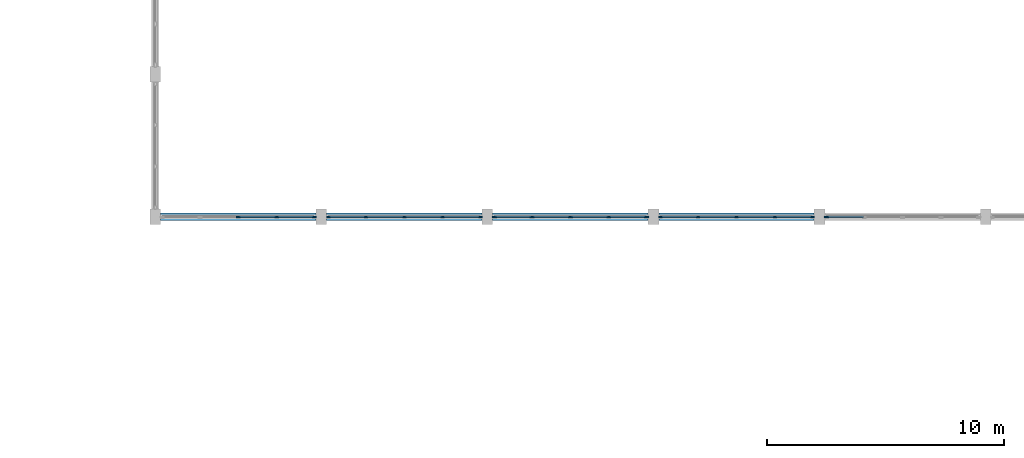
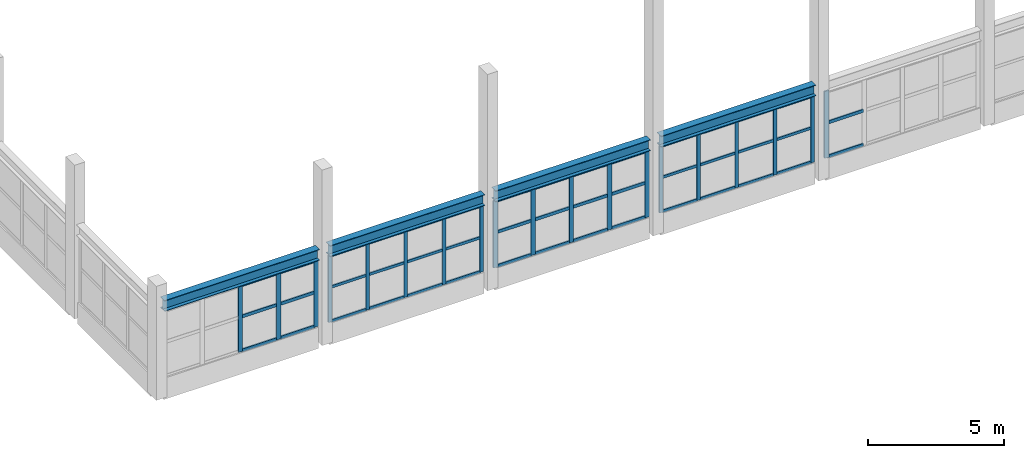
# One storey, part 28 of 89: 63 members, 4 beams, 5 elements without a shape of their own.
"""IFC4 building model written with IfcOpenShell, lengths in metres."""

from ifc_helpers import new_model, si_unit, direction, frame, origin, origin_2d, place, context, subcontext, project, spatial, rectangle, i_section, extrude, material, layer, layer_set, material_profile, profile_set, type_object, element, aggregate, save


model = new_model("IFC4")

# Units and contexts
model_context = context("Model", 3, precision=1e-05, world=origin(), true_north=direction((0.0, 1.0)))
body_context = subcontext(model_context, "Body", "Model", "MODEL_VIEW")
ifc_project = project(units=[si_unit("LENGTHUNIT", "METRE"), si_unit("AREAUNIT", "SQUARE_METRE"), si_unit("VOLUMEUNIT", "CUBIC_METRE"), si_unit("PLANEANGLEUNIT", "RADIAN"), si_unit("MASSUNIT", "GRAM", prefix="KILO")], contexts=[model_context])

# Site, building, storey
site_placement = place(None, origin())
site = spatial("IfcSite", under=ifc_project, at=site_placement, CompositionType="ELEMENT")
building_placement = place(site_placement, origin())
building = spatial("IfcBuilding", under=site, at=building_placement, Name="Tonlespit Floodbar School", CompositionType="ELEMENT")
storey_placement = place(building_placement, frame((0.0, 0.0, 4.5)))
storey = spatial("IfcBuildingStorey", under=building, at=storey_placement, Name="L01", CompositionType="ELEMENT", Elevation=4.5)

# Curtain wall, members
ifc_material_1 = material(Name="Anodised Aluminium", Category="aluminium")
ifc_layer = layer(ifc_material_1, 0.159912109375)
ifc_layer_set = layer_set([ifc_layer], Name="Anodised Aluminium")
curtain_wall_type = type_object("IfcCurtainWallType", Name="CurtainWall_6450x3000", PredefinedType="NOTDEFINED", material=ifc_layer_set)
curtain_wall_1_placement = place(storey_placement, origin())
curtain_wall_1 = element("IfcCurtainWall", 1, at=curtain_wall_1_placement, inside=storey, type_object=curtain_wall_type, Name="L01 unitised curtain wall 0314", PredefinedType="NOTDEFINED")
ifc_material_profile_1 = material_profile(ifc_material_1, rectangle(XDim=0.06494140625, YDim=0.14990234375, at=origin_2d()), Name="ALU M65x150")
ifc_profile_set_1 = profile_set([ifc_material_profile_1], Name="Anodised Aluminium")
member_type_1 = type_object("IfcMemberType", Name="CW_Mullion_65x150", PredefinedType="MULLION", material=ifc_profile_set_1)
member_1_placement = place(storey_placement, frame((154.702392578125, 20.0, 0.68994140625), z_axis=(0.0, 0.0, 1.0), x_axis=(0.0, -1.0, 0.0)))
member_1 = element("IfcMember", 2, at=member_1_placement, type_object=member_type_1, Name="CW-49 mullion 1", PredefinedType="MULLION", context=body_context, shape_type="SweptSolid", body=[
    extrude(rectangle(XDim=0.06494140625, YDim=0.14990234375, at=origin_2d()), origin(), (0.0, 0.0, 1.0), 2.989990234375),
])
member_2_placement = place(storey_placement, frame((153.117431640625, 20.0, 0.68994140625), z_axis=(0.0, 0.0, 1.0), x_axis=(0.0, -1.0, 0.0)))
member_2 = element("IfcMember", 3, at=member_2_placement, type_object=member_type_1, Name="CW-49 mullion 2", PredefinedType="MULLION", context=body_context, shape_type="SweptSolid", body=[
    extrude(rectangle(XDim=0.06494140625, YDim=0.14990234375, at=origin_2d()), origin(), (0.0, 0.0, 1.0), 2.989990234375),
])
member_3_placement = place(storey_placement, frame((151.5, 20.0, 0.68994140625), z_axis=(0.0, 0.0, 1.0), x_axis=(0.0, -1.0, 0.0)))
member_3 = element("IfcMember", 4, at=member_3_placement, type_object=member_type_1, Name="CW-49 mullion 3", PredefinedType="MULLION", context=body_context, shape_type="SweptSolid", body=[
    extrude(rectangle(XDim=0.06494140625, YDim=0.14990234375, at=origin_2d()), origin(), (0.0, 0.0, 1.0), 2.989990234375),
])
member_4_placement = place(storey_placement, frame((149.882568359375, 20.0, 0.68994140625), z_axis=(0.0, 0.0, 1.0), x_axis=(0.0, -1.0, 0.0)))
member_4 = element("IfcMember", 5, at=member_4_placement, type_object=member_type_1, Name="CW-49 mullion 4", PredefinedType="MULLION", context=body_context, shape_type="SweptSolid", body=[
    extrude(rectangle(XDim=0.06494140625, YDim=0.14990234375, at=origin_2d()), origin(), (0.0, 0.0, 1.0), 2.989990234375),
])
member_5_placement = place(storey_placement, frame((148.297607421875, 20.0, 0.68994140625), z_axis=(0.0, 0.0, 1.0), x_axis=(0.0, -1.0, 0.0)))
member_5 = element("IfcMember", 6, at=member_5_placement, type_object=member_type_1, Name="CW-49 mullion 5", PredefinedType="MULLION", context=body_context, shape_type="SweptSolid", body=[
    extrude(rectangle(XDim=0.06494140625, YDim=0.14990234375, at=origin_2d()), origin(), (0.0, 0.0, 1.0), 2.989990234375),
])

curtain_wall_2_placement = place(storey_placement, origin())
curtain_wall_2 = element("IfcCurtainWall", 7, at=curtain_wall_2_placement, inside=storey, type_object=curtain_wall_type, Name="L01 unitised curtain wall 0316", PredefinedType="NOTDEFINED")
member_6_placement = place(storey_placement, frame((140.702392578125, 20.0, 0.68994140625), z_axis=(0.0, 0.0, 1.0), x_axis=(0.0, -1.0, 0.0)))
member_6 = element("IfcMember", 8, at=member_6_placement, type_object=member_type_1, Name="CW-49 mullion 1", PredefinedType="MULLION", context=body_context, shape_type="SweptSolid", body=[
    extrude(rectangle(XDim=0.06494140625, YDim=0.14990234375, at=origin_2d()), origin(), (0.0, 0.0, 1.0), 2.989990234375),
])
member_7_placement = place(storey_placement, frame((139.117431640625, 20.0, 0.68994140625), z_axis=(0.0, 0.0, 1.0), x_axis=(0.0, -1.0, 0.0)))
member_7 = element("IfcMember", 9, at=member_7_placement, type_object=member_type_1, Name="CW-49 mullion 2", PredefinedType="MULLION", context=body_context, shape_type="SweptSolid", body=[
    extrude(rectangle(XDim=0.06494140625, YDim=0.14990234375, at=origin_2d()), origin(), (0.0, 0.0, 1.0), 2.989990234375),
])
member_8_placement = place(storey_placement, frame((137.5, 20.0, 0.68994140625), z_axis=(0.0, 0.0, 1.0), x_axis=(0.0, -1.0, 0.0)))
member_8 = element("IfcMember", 10, at=member_8_placement, type_object=member_type_1, Name="CW-49 mullion 3", PredefinedType="MULLION", context=body_context, shape_type="SweptSolid", body=[
    extrude(rectangle(XDim=0.06494140625, YDim=0.14990234375, at=origin_2d()), origin(), (0.0, 0.0, 1.0), 2.989990234375),
])
member_9_placement = place(storey_placement, frame((135.882568359375, 20.0, 0.68994140625), z_axis=(0.0, 0.0, 1.0), x_axis=(0.0, -1.0, 0.0)))
member_9 = element("IfcMember", 11, at=member_9_placement, type_object=member_type_1, Name="CW-49 mullion 4", PredefinedType="MULLION", context=body_context, shape_type="SweptSolid", body=[
    extrude(rectangle(XDim=0.06494140625, YDim=0.14990234375, at=origin_2d()), origin(), (0.0, 0.0, 1.0), 2.989990234375),
])
member_10_placement = place(storey_placement, frame((134.297607421875, 20.0, 0.68994140625), z_axis=(0.0, 0.0, 1.0), x_axis=(0.0, -1.0, 0.0)))
member_10 = element("IfcMember", 12, at=member_10_placement, type_object=member_type_1, Name="CW-49 mullion 5", PredefinedType="MULLION", context=body_context, shape_type="SweptSolid", body=[
    extrude(rectangle(XDim=0.06494140625, YDim=0.14990234375, at=origin_2d()), origin(), (0.0, 0.0, 1.0), 2.989990234375),
])

# Curtain wall, member
curtain_wall_3_placement = place(storey_placement, origin())
curtain_wall_3 = element("IfcCurtainWall", 13, at=curtain_wall_3_placement, inside=storey, type_object=curtain_wall_type, Name="L01 unitised curtain wall 0313", PredefinedType="NOTDEFINED")
ifc_material_profile_2 = material_profile(ifc_material_1, rectangle(XDim=0.06494140625, YDim=0.179931640625, at=origin_2d()), Name="ALU M65x180")
ifc_profile_set_2 = profile_set([ifc_material_profile_2], Name="Anodised Aluminium")
member_type_2 = type_object("IfcMemberType", Name="CW_Mullion_65x180", PredefinedType="MULLION", material=ifc_profile_set_2)
member_11_placement = place(storey_placement, frame((155.297607421875, 20.0, 0.68994140625), z_axis=(0.0, 0.0, 1.0), x_axis=(0.0, -1.0, 0.0)))
member_11 = element("IfcMember", 14, at=member_11_placement, type_object=member_type_2, Name="CW-49 mullion 5", PredefinedType="MULLION", context=body_context, shape_type="SweptSolid", body=[
    extrude(rectangle(XDim=0.06494140625, YDim=0.179931640625, at=origin_2d()), origin(), (0.0, 0.0, 1.0), 2.989990234375),
])

# Curtain wall, members
curtain_wall_4_placement = place(storey_placement, origin())
curtain_wall_4 = element("IfcCurtainWall", 15, at=curtain_wall_4_placement, inside=storey, type_object=curtain_wall_type, Name="L01 unitised curtain wall 0315", PredefinedType="NOTDEFINED")
member_12_placement = place(storey_placement, frame((147.702392578125, 20.0, 0.68994140625), z_axis=(0.0, 0.0, 1.0), x_axis=(0.0, -1.0, 0.0)))
member_12 = element("IfcMember", 16, at=member_12_placement, type_object=member_type_2, Name="CW-49 mullion 1", PredefinedType="MULLION", context=body_context, shape_type="SweptSolid", body=[
    extrude(rectangle(XDim=0.06494140625, YDim=0.179931640625, at=origin_2d()), origin(), (0.0, 0.0, 1.0), 2.989990234375),
])
member_13_placement = place(storey_placement, frame((146.117431640625, 20.0, 0.68994140625), z_axis=(0.0, 0.0, 1.0), x_axis=(0.0, -1.0, 0.0)))
member_13 = element("IfcMember", 17, at=member_13_placement, type_object=member_type_2, Name="CW-49 mullion 2", PredefinedType="MULLION", context=body_context, shape_type="SweptSolid", body=[
    extrude(rectangle(XDim=0.06494140625, YDim=0.179931640625, at=origin_2d()), origin(), (0.0, 0.0, 1.0), 2.989990234375),
])
member_14_placement = place(storey_placement, frame((144.5, 20.0, 0.68994140625), z_axis=(0.0, 0.0, 1.0), x_axis=(0.0, -1.0, 0.0)))
member_14 = element("IfcMember", 18, at=member_14_placement, type_object=member_type_2, Name="CW-49 mullion 3", PredefinedType="MULLION", context=body_context, shape_type="SweptSolid", body=[
    extrude(rectangle(XDim=0.06494140625, YDim=0.179931640625, at=origin_2d()), origin(), (0.0, 0.0, 1.0), 2.989990234375),
])
member_15_placement = place(storey_placement, frame((142.882568359375, 20.0, 0.68994140625), z_axis=(0.0, 0.0, 1.0), x_axis=(0.0, -1.0, 0.0)))
member_15 = element("IfcMember", 19, at=member_15_placement, type_object=member_type_2, Name="CW-49 mullion 4", PredefinedType="MULLION", context=body_context, shape_type="SweptSolid", body=[
    extrude(rectangle(XDim=0.06494140625, YDim=0.179931640625, at=origin_2d()), origin(), (0.0, 0.0, 1.0), 2.989990234375),
])
member_16_placement = place(storey_placement, frame((141.297607421875, 20.0, 0.68994140625), z_axis=(0.0, 0.0, 1.0), x_axis=(0.0, -1.0, 0.0)))
member_16 = element("IfcMember", 20, at=member_16_placement, type_object=member_type_2, Name="CW-49 mullion 5", PredefinedType="MULLION", context=body_context, shape_type="SweptSolid", body=[
    extrude(rectangle(XDim=0.06494140625, YDim=0.179931640625, at=origin_2d()), origin(), (0.0, 0.0, 1.0), 2.989990234375),
])

curtain_wall_5_placement = place(storey_placement, origin())
curtain_wall_5 = element("IfcCurtainWall", 21, at=curtain_wall_5_placement, inside=storey, type_object=curtain_wall_type, Name="L01 unitised curtain wall 0317", PredefinedType="NOTDEFINED")
member_17_placement = place(storey_placement, frame((133.702392578125, 20.0, 0.68994140625), z_axis=(0.0, 0.0, 1.0), x_axis=(0.0, -1.0, 0.0)))
member_17 = element("IfcMember", 22, at=member_17_placement, type_object=member_type_2, Name="CW-49 mullion 1", PredefinedType="MULLION", context=body_context, shape_type="SweptSolid", body=[
    extrude(rectangle(XDim=0.06494140625, YDim=0.179931640625, at=origin_2d()), origin(), (0.0, 0.0, 1.0), 2.989990234375),
])
member_18_placement = place(storey_placement, frame((132.117431640625, 20.0, 0.68994140625), z_axis=(0.0, 0.0, 1.0), x_axis=(0.0, -1.0, 0.0)))
member_18 = element("IfcMember", 23, at=member_18_placement, type_object=member_type_2, Name="CW-49 mullion 2", PredefinedType="MULLION", context=body_context, shape_type="SweptSolid", body=[
    extrude(rectangle(XDim=0.06494140625, YDim=0.179931640625, at=origin_2d()), origin(), (0.0, 0.0, 1.0), 2.989990234375),
])
member_19_placement = place(storey_placement, frame((130.5, 20.0, 0.68994140625), z_axis=(0.0, 0.0, 1.0), x_axis=(0.0, -1.0, 0.0)))
member_19 = element("IfcMember", 24, at=member_19_placement, type_object=member_type_2, Name="CW-49 mullion 3", PredefinedType="MULLION", context=body_context, shape_type="SweptSolid", body=[
    extrude(rectangle(XDim=0.06494140625, YDim=0.179931640625, at=origin_2d()), origin(), (0.0, 0.0, 1.0), 2.989990234375),
])

# Member
ifc_material_profile_3 = material_profile(ifc_material_1, rectangle(XDim=0.06494140625, YDim=0.1201171875, at=origin_2d()), Name="ALU T65x120")
ifc_profile_set_3 = profile_set([ifc_material_profile_3], Name="Anodised Aluminium")
member_type_3 = type_object("IfcMemberType", Name="CW_Transom_65x120", PredefinedType="USERDEFINED", material=ifc_profile_set_3)
member_20_placement = place(storey_placement, frame((154.669921875, 20.0, 0.722412109375), z_axis=(-1.0, 0.0, 0.0), x_axis=(0.0, -1.0, 0.0)))
member_20 = element("IfcMember", 25, at=member_20_placement, type_object=member_type_3, Name="CW-49 transom 1.1", ObjectType="TRANSOM", PredefinedType="USERDEFINED", context=body_context, shape_type="SweptSolid", body=[
    extrude(rectangle(XDim=0.06494140625, YDim=0.1201171875, at=origin_2d()), origin(), (0.0, 0.0, 1.0), 1.52001953125),
])

member_21_placement = place(storey_placement, frame((154.669921875, 20.0, 2.244873046875), z_axis=(-1.0, 0.0, 0.0), x_axis=(0.0, -1.0, 0.0)))
member_21 = element("IfcMember", 26, at=member_21_placement, type_object=member_type_3, Name="CW-49 transom 1.2", ObjectType="TRANSOM", PredefinedType="USERDEFINED", context=body_context, shape_type="SweptSolid", body=[
    extrude(rectangle(XDim=0.06494140625, YDim=0.1201171875, at=origin_2d()), origin(), (0.0, 0.0, 1.0), 1.52001953125),
])

member_22_placement = place(storey_placement, frame((154.669921875, 20.0, 3.6474609375), z_axis=(-1.0, 0.0, 0.0), x_axis=(0.0, -1.0, 0.0)))
member_22 = element("IfcMember", 27, at=member_22_placement, type_object=member_type_3, Name="CW-49 transom 1.3", ObjectType="TRANSOM", PredefinedType="USERDEFINED", context=body_context, shape_type="SweptSolid", body=[
    extrude(rectangle(XDim=0.06494140625, YDim=0.1201171875, at=origin_2d()), origin(), (0.0, 0.0, 1.0), 1.52001953125),
])

member_23_placement = place(storey_placement, frame((153.0849609375, 20.0, 0.722412109375), z_axis=(-1.0, 0.0, 0.0), x_axis=(0.0, -1.0, 0.0)))
member_23 = element("IfcMember", 28, at=member_23_placement, type_object=member_type_3, Name="CW-49 transom 2.1", ObjectType="TRANSOM", PredefinedType="USERDEFINED", context=body_context, shape_type="SweptSolid", body=[
    extrude(rectangle(XDim=0.06494140625, YDim=0.1201171875, at=origin_2d()), origin(), (0.0, 0.0, 1.0), 1.552490234375),
])

member_24_placement = place(storey_placement, frame((153.0849609375, 20.0, 2.244873046875), z_axis=(-1.0, 0.0, 0.0), x_axis=(0.0, -1.0, 0.0)))
member_24 = element("IfcMember", 29, at=member_24_placement, type_object=member_type_3, Name="CW-49 transom 2.2", ObjectType="TRANSOM", PredefinedType="USERDEFINED", context=body_context, shape_type="SweptSolid", body=[
    extrude(rectangle(XDim=0.06494140625, YDim=0.1201171875, at=origin_2d()), origin(), (0.0, 0.0, 1.0), 1.552490234375),
])

member_25_placement = place(storey_placement, frame((153.0849609375, 20.0, 3.6474609375), z_axis=(-1.0, 0.0, 0.0), x_axis=(0.0, -1.0, 0.0)))
member_25 = element("IfcMember", 30, at=member_25_placement, type_object=member_type_3, Name="CW-49 transom 2.3", ObjectType="TRANSOM", PredefinedType="USERDEFINED", context=body_context, shape_type="SweptSolid", body=[
    extrude(rectangle(XDim=0.06494140625, YDim=0.1201171875, at=origin_2d()), origin(), (0.0, 0.0, 1.0), 1.552490234375),
])

member_26_placement = place(storey_placement, frame((151.467529296875, 20.0, 0.722412109375), z_axis=(-1.0, 0.0, 0.0), x_axis=(0.0, -1.0, 0.0)))
member_26 = element("IfcMember", 31, at=member_26_placement, type_object=member_type_3, Name="CW-49 transom 3.1", ObjectType="TRANSOM", PredefinedType="USERDEFINED", context=body_context, shape_type="SweptSolid", body=[
    extrude(rectangle(XDim=0.06494140625, YDim=0.1201171875, at=origin_2d()), origin(), (0.0, 0.0, 1.0), 1.552490234375),
])

member_27_placement = place(storey_placement, frame((151.467529296875, 20.0, 2.244873046875), z_axis=(-1.0, 0.0, 0.0), x_axis=(0.0, -1.0, 0.0)))
member_27 = element("IfcMember", 32, at=member_27_placement, type_object=member_type_3, Name="CW-49 transom 3.2", ObjectType="TRANSOM", PredefinedType="USERDEFINED", context=body_context, shape_type="SweptSolid", body=[
    extrude(rectangle(XDim=0.06494140625, YDim=0.1201171875, at=origin_2d()), origin(), (0.0, 0.0, 1.0), 1.552490234375),
])

member_28_placement = place(storey_placement, frame((151.467529296875, 20.0, 3.6474609375), z_axis=(-1.0, 0.0, 0.0), x_axis=(0.0, -1.0, 0.0)))
member_28 = element("IfcMember", 33, at=member_28_placement, type_object=member_type_3, Name="CW-49 transom 3.3", ObjectType="TRANSOM", PredefinedType="USERDEFINED", context=body_context, shape_type="SweptSolid", body=[
    extrude(rectangle(XDim=0.06494140625, YDim=0.1201171875, at=origin_2d()), origin(), (0.0, 0.0, 1.0), 1.552490234375),
])

member_29_placement = place(storey_placement, frame((149.85009765625, 20.0, 0.722412109375), z_axis=(-1.0, 0.0, 0.0), x_axis=(0.0, -1.0, 0.0)))
member_29 = element("IfcMember", 34, at=member_29_placement, type_object=member_type_3, Name="CW-49 transom 4.1", ObjectType="TRANSOM", PredefinedType="USERDEFINED", context=body_context, shape_type="SweptSolid", body=[
    extrude(rectangle(XDim=0.06494140625, YDim=0.1201171875, at=origin_2d()), origin(), (0.0, 0.0, 1.0), 1.52001953125),
])

member_30_placement = place(storey_placement, frame((149.85009765625, 20.0, 2.244873046875), z_axis=(-1.0, 0.0, 0.0), x_axis=(0.0, -1.0, 0.0)))
member_30 = element("IfcMember", 35, at=member_30_placement, type_object=member_type_3, Name="CW-49 transom 4.2", ObjectType="TRANSOM", PredefinedType="USERDEFINED", context=body_context, shape_type="SweptSolid", body=[
    extrude(rectangle(XDim=0.06494140625, YDim=0.1201171875, at=origin_2d()), origin(), (0.0, 0.0, 1.0), 1.52001953125),
])

member_31_placement = place(storey_placement, frame((149.85009765625, 20.0, 3.6474609375), z_axis=(-1.0, 0.0, 0.0), x_axis=(0.0, -1.0, 0.0)))
member_31 = element("IfcMember", 36, at=member_31_placement, type_object=member_type_3, Name="CW-49 transom 4.3", ObjectType="TRANSOM", PredefinedType="USERDEFINED", context=body_context, shape_type="SweptSolid", body=[
    extrude(rectangle(XDim=0.06494140625, YDim=0.1201171875, at=origin_2d()), origin(), (0.0, 0.0, 1.0), 1.52001953125),
])

aggregate(curtain_wall_1, [member_1, member_2, member_3, member_4, member_5, member_20, member_21, member_22, member_23, member_24, member_25, member_26, member_27, member_28, member_29, member_30, member_31])

member_32_placement = place(storey_placement, frame((140.669921875, 20.0, 0.722412109375), z_axis=(-1.0, 0.0, 0.0), x_axis=(0.0, -1.0, 0.0)))
member_32 = element("IfcMember", 37, at=member_32_placement, type_object=member_type_3, Name="CW-49 transom 1.1", ObjectType="TRANSOM", PredefinedType="USERDEFINED", context=body_context, shape_type="SweptSolid", body=[
    extrude(rectangle(XDim=0.06494140625, YDim=0.1201171875, at=origin_2d()), origin(), (0.0, 0.0, 1.0), 1.52001953125),
])

member_33_placement = place(storey_placement, frame((140.669921875, 20.0, 2.244873046875), z_axis=(-1.0, 0.0, 0.0), x_axis=(0.0, -1.0, 0.0)))
member_33 = element("IfcMember", 38, at=member_33_placement, type_object=member_type_3, Name="CW-49 transom 1.2", ObjectType="TRANSOM", PredefinedType="USERDEFINED", context=body_context, shape_type="SweptSolid", body=[
    extrude(rectangle(XDim=0.06494140625, YDim=0.1201171875, at=origin_2d()), origin(), (0.0, 0.0, 1.0), 1.52001953125),
])

member_34_placement = place(storey_placement, frame((140.669921875, 20.0, 3.6474609375), z_axis=(-1.0, 0.0, 0.0), x_axis=(0.0, -1.0, 0.0)))
member_34 = element("IfcMember", 39, at=member_34_placement, type_object=member_type_3, Name="CW-49 transom 1.3", ObjectType="TRANSOM", PredefinedType="USERDEFINED", context=body_context, shape_type="SweptSolid", body=[
    extrude(rectangle(XDim=0.06494140625, YDim=0.1201171875, at=origin_2d()), origin(), (0.0, 0.0, 1.0), 1.52001953125),
])

member_35_placement = place(storey_placement, frame((139.0849609375, 20.0, 0.722412109375), z_axis=(-1.0, 0.0, 0.0), x_axis=(0.0, -1.0, 0.0)))
member_35 = element("IfcMember", 40, at=member_35_placement, type_object=member_type_3, Name="CW-49 transom 2.1", ObjectType="TRANSOM", PredefinedType="USERDEFINED", context=body_context, shape_type="SweptSolid", body=[
    extrude(rectangle(XDim=0.06494140625, YDim=0.1201171875, at=origin_2d()), origin(), (0.0, 0.0, 1.0), 1.552490234375),
])

member_36_placement = place(storey_placement, frame((139.0849609375, 20.0, 2.244873046875), z_axis=(-1.0, 0.0, 0.0), x_axis=(0.0, -1.0, 0.0)))
member_36 = element("IfcMember", 41, at=member_36_placement, type_object=member_type_3, Name="CW-49 transom 2.2", ObjectType="TRANSOM", PredefinedType="USERDEFINED", context=body_context, shape_type="SweptSolid", body=[
    extrude(rectangle(XDim=0.06494140625, YDim=0.1201171875, at=origin_2d()), origin(), (0.0, 0.0, 1.0), 1.552490234375),
])

member_37_placement = place(storey_placement, frame((139.0849609375, 20.0, 3.6474609375), z_axis=(-1.0, 0.0, 0.0), x_axis=(0.0, -1.0, 0.0)))
member_37 = element("IfcMember", 42, at=member_37_placement, type_object=member_type_3, Name="CW-49 transom 2.3", ObjectType="TRANSOM", PredefinedType="USERDEFINED", context=body_context, shape_type="SweptSolid", body=[
    extrude(rectangle(XDim=0.06494140625, YDim=0.1201171875, at=origin_2d()), origin(), (0.0, 0.0, 1.0), 1.552490234375),
])

member_38_placement = place(storey_placement, frame((137.467529296875, 20.0, 0.722412109375), z_axis=(-1.0, 0.0, 0.0), x_axis=(0.0, -1.0, 0.0)))
member_38 = element("IfcMember", 43, at=member_38_placement, type_object=member_type_3, Name="CW-49 transom 3.1", ObjectType="TRANSOM", PredefinedType="USERDEFINED", context=body_context, shape_type="SweptSolid", body=[
    extrude(rectangle(XDim=0.06494140625, YDim=0.1201171875, at=origin_2d()), origin(), (0.0, 0.0, 1.0), 1.552490234375),
])

member_39_placement = place(storey_placement, frame((137.467529296875, 20.0, 2.244873046875), z_axis=(-1.0, 0.0, 0.0), x_axis=(0.0, -1.0, 0.0)))
member_39 = element("IfcMember", 44, at=member_39_placement, type_object=member_type_3, Name="CW-49 transom 3.2", ObjectType="TRANSOM", PredefinedType="USERDEFINED", context=body_context, shape_type="SweptSolid", body=[
    extrude(rectangle(XDim=0.06494140625, YDim=0.1201171875, at=origin_2d()), origin(), (0.0, 0.0, 1.0), 1.552490234375),
])

member_40_placement = place(storey_placement, frame((137.467529296875, 20.0, 3.6474609375), z_axis=(-1.0, 0.0, 0.0), x_axis=(0.0, -1.0, 0.0)))
member_40 = element("IfcMember", 45, at=member_40_placement, type_object=member_type_3, Name="CW-49 transom 3.3", ObjectType="TRANSOM", PredefinedType="USERDEFINED", context=body_context, shape_type="SweptSolid", body=[
    extrude(rectangle(XDim=0.06494140625, YDim=0.1201171875, at=origin_2d()), origin(), (0.0, 0.0, 1.0), 1.552490234375),
])

member_41_placement = place(storey_placement, frame((135.85009765625, 20.0, 0.722412109375), z_axis=(-1.0, 0.0, 0.0), x_axis=(0.0, -1.0, 0.0)))
member_41 = element("IfcMember", 46, at=member_41_placement, type_object=member_type_3, Name="CW-49 transom 4.1", ObjectType="TRANSOM", PredefinedType="USERDEFINED", context=body_context, shape_type="SweptSolid", body=[
    extrude(rectangle(XDim=0.06494140625, YDim=0.1201171875, at=origin_2d()), origin(), (0.0, 0.0, 1.0), 1.52001953125),
])

member_42_placement = place(storey_placement, frame((135.85009765625, 20.0, 2.244873046875), z_axis=(-1.0, 0.0, 0.0), x_axis=(0.0, -1.0, 0.0)))
member_42 = element("IfcMember", 47, at=member_42_placement, type_object=member_type_3, Name="CW-49 transom 4.2", ObjectType="TRANSOM", PredefinedType="USERDEFINED", context=body_context, shape_type="SweptSolid", body=[
    extrude(rectangle(XDim=0.06494140625, YDim=0.1201171875, at=origin_2d()), origin(), (0.0, 0.0, 1.0), 1.52001953125),
])

member_43_placement = place(storey_placement, frame((135.85009765625, 20.0, 3.6474609375), z_axis=(-1.0, 0.0, 0.0), x_axis=(0.0, -1.0, 0.0)))
member_43 = element("IfcMember", 48, at=member_43_placement, type_object=member_type_3, Name="CW-49 transom 4.3", ObjectType="TRANSOM", PredefinedType="USERDEFINED", context=body_context, shape_type="SweptSolid", body=[
    extrude(rectangle(XDim=0.06494140625, YDim=0.1201171875, at=origin_2d()), origin(), (0.0, 0.0, 1.0), 1.52001953125),
])

aggregate(curtain_wall_2, [member_6, member_7, member_8, member_9, member_10, member_32, member_33, member_34, member_35, member_36, member_37, member_38, member_39, member_40, member_41, member_42, member_43])

ifc_material_profile_4 = material_profile(ifc_material_1, rectangle(XDim=0.06494140625, YDim=0.139892578125, at=origin_2d()), Name="ALU T65x140")
ifc_profile_set_4 = profile_set([ifc_material_profile_4], Name="Anodised Aluminium")
member_type_4 = type_object("IfcMemberType", Name="CW_Transom_65x140", PredefinedType="USERDEFINED", material=ifc_profile_set_4)
member_44_placement = place(storey_placement, frame((156.85009765625, 20.0, 0.722412109375), z_axis=(-1.0, 0.0, 0.0), x_axis=(0.0, -1.0, 0.0)))
member_44 = element("IfcMember", 49, at=member_44_placement, type_object=member_type_4, Name="CW-49 transom 4.1", ObjectType="TRANSOM", PredefinedType="USERDEFINED", context=body_context, shape_type="SweptSolid", body=[
    extrude(rectangle(XDim=0.06494140625, YDim=0.139892578125, at=origin_2d()), origin(), (0.0, 0.0, 1.0), 1.52001953125),
])

member_45_placement = place(storey_placement, frame((156.85009765625, 20.0, 2.244873046875), z_axis=(-1.0, 0.0, 0.0), x_axis=(0.0, -1.0, 0.0)))
member_45 = element("IfcMember", 50, at=member_45_placement, type_object=member_type_4, Name="CW-49 transom 4.2", ObjectType="TRANSOM", PredefinedType="USERDEFINED", context=body_context, shape_type="SweptSolid", body=[
    extrude(rectangle(XDim=0.06494140625, YDim=0.139892578125, at=origin_2d()), origin(), (0.0, 0.0, 1.0), 1.52001953125),
])

aggregate(curtain_wall_3, [member_11, member_44, member_45])

member_46_placement = place(storey_placement, frame((147.669921875, 20.0, 0.722412109375), z_axis=(-1.0, 0.0, 0.0), x_axis=(0.0, -1.0, 0.0)))
member_46 = element("IfcMember", 51, at=member_46_placement, type_object=member_type_4, Name="CW-49 transom 1.1", ObjectType="TRANSOM", PredefinedType="USERDEFINED", context=body_context, shape_type="SweptSolid", body=[
    extrude(rectangle(XDim=0.06494140625, YDim=0.139892578125, at=origin_2d()), origin(), (0.0, 0.0, 1.0), 1.52001953125),
])

member_47_placement = place(storey_placement, frame((147.669921875, 20.0, 2.244873046875), z_axis=(-1.0, 0.0, 0.0), x_axis=(0.0, -1.0, 0.0)))
member_47 = element("IfcMember", 52, at=member_47_placement, type_object=member_type_4, Name="CW-49 transom 1.2", ObjectType="TRANSOM", PredefinedType="USERDEFINED", context=body_context, shape_type="SweptSolid", body=[
    extrude(rectangle(XDim=0.06494140625, YDim=0.139892578125, at=origin_2d()), origin(), (0.0, 0.0, 1.0), 1.52001953125),
])

member_48_placement = place(storey_placement, frame((147.669921875, 20.0, 3.6474609375), z_axis=(-1.0, 0.0, 0.0), x_axis=(0.0, -1.0, 0.0)))
member_48 = element("IfcMember", 53, at=member_48_placement, type_object=member_type_4, Name="CW-49 transom 1.3", ObjectType="TRANSOM", PredefinedType="USERDEFINED", context=body_context, shape_type="SweptSolid", body=[
    extrude(rectangle(XDim=0.06494140625, YDim=0.139892578125, at=origin_2d()), origin(), (0.0, 0.0, 1.0), 1.52001953125),
])

member_49_placement = place(storey_placement, frame((146.0849609375, 20.0, 0.722412109375), z_axis=(-1.0, 0.0, 0.0), x_axis=(0.0, -1.0, 0.0)))
member_49 = element("IfcMember", 54, at=member_49_placement, type_object=member_type_4, Name="CW-49 transom 2.1", ObjectType="TRANSOM", PredefinedType="USERDEFINED", context=body_context, shape_type="SweptSolid", body=[
    extrude(rectangle(XDim=0.06494140625, YDim=0.139892578125, at=origin_2d()), origin(), (0.0, 0.0, 1.0), 1.552490234375),
])

member_50_placement = place(storey_placement, frame((146.0849609375, 20.0, 2.244873046875), z_axis=(-1.0, 0.0, 0.0), x_axis=(0.0, -1.0, 0.0)))
member_50 = element("IfcMember", 55, at=member_50_placement, type_object=member_type_4, Name="CW-49 transom 2.2", ObjectType="TRANSOM", PredefinedType="USERDEFINED", context=body_context, shape_type="SweptSolid", body=[
    extrude(rectangle(XDim=0.06494140625, YDim=0.139892578125, at=origin_2d()), origin(), (0.0, 0.0, 1.0), 1.552490234375),
])

member_51_placement = place(storey_placement, frame((146.0849609375, 20.0, 3.6474609375), z_axis=(-1.0, 0.0, 0.0), x_axis=(0.0, -1.0, 0.0)))
member_51 = element("IfcMember", 56, at=member_51_placement, type_object=member_type_4, Name="CW-49 transom 2.3", ObjectType="TRANSOM", PredefinedType="USERDEFINED", context=body_context, shape_type="SweptSolid", body=[
    extrude(rectangle(XDim=0.06494140625, YDim=0.139892578125, at=origin_2d()), origin(), (0.0, 0.0, 1.0), 1.552490234375),
])

member_52_placement = place(storey_placement, frame((144.467529296875, 20.0, 0.722412109375), z_axis=(-1.0, 0.0, 0.0), x_axis=(0.0, -1.0, 0.0)))
member_52 = element("IfcMember", 57, at=member_52_placement, type_object=member_type_4, Name="CW-49 transom 3.1", ObjectType="TRANSOM", PredefinedType="USERDEFINED", context=body_context, shape_type="SweptSolid", body=[
    extrude(rectangle(XDim=0.06494140625, YDim=0.139892578125, at=origin_2d()), origin(), (0.0, 0.0, 1.0), 1.552490234375),
])

member_53_placement = place(storey_placement, frame((144.467529296875, 20.0, 2.244873046875), z_axis=(-1.0, 0.0, 0.0), x_axis=(0.0, -1.0, 0.0)))
member_53 = element("IfcMember", 58, at=member_53_placement, type_object=member_type_4, Name="CW-49 transom 3.2", ObjectType="TRANSOM", PredefinedType="USERDEFINED", context=body_context, shape_type="SweptSolid", body=[
    extrude(rectangle(XDim=0.06494140625, YDim=0.139892578125, at=origin_2d()), origin(), (0.0, 0.0, 1.0), 1.552490234375),
])

member_54_placement = place(storey_placement, frame((144.467529296875, 20.0, 3.6474609375), z_axis=(-1.0, 0.0, 0.0), x_axis=(0.0, -1.0, 0.0)))
member_54 = element("IfcMember", 59, at=member_54_placement, type_object=member_type_4, Name="CW-49 transom 3.3", ObjectType="TRANSOM", PredefinedType="USERDEFINED", context=body_context, shape_type="SweptSolid", body=[
    extrude(rectangle(XDim=0.06494140625, YDim=0.139892578125, at=origin_2d()), origin(), (0.0, 0.0, 1.0), 1.552490234375),
])

member_55_placement = place(storey_placement, frame((142.85009765625, 20.0, 0.722412109375), z_axis=(-1.0, 0.0, 0.0), x_axis=(0.0, -1.0, 0.0)))
member_55 = element("IfcMember", 60, at=member_55_placement, type_object=member_type_4, Name="CW-49 transom 4.1", ObjectType="TRANSOM", PredefinedType="USERDEFINED", context=body_context, shape_type="SweptSolid", body=[
    extrude(rectangle(XDim=0.06494140625, YDim=0.139892578125, at=origin_2d()), origin(), (0.0, 0.0, 1.0), 1.52001953125),
])

member_56_placement = place(storey_placement, frame((142.85009765625, 20.0, 2.244873046875), z_axis=(-1.0, 0.0, 0.0), x_axis=(0.0, -1.0, 0.0)))
member_56 = element("IfcMember", 61, at=member_56_placement, type_object=member_type_4, Name="CW-49 transom 4.2", ObjectType="TRANSOM", PredefinedType="USERDEFINED", context=body_context, shape_type="SweptSolid", body=[
    extrude(rectangle(XDim=0.06494140625, YDim=0.139892578125, at=origin_2d()), origin(), (0.0, 0.0, 1.0), 1.52001953125),
])

member_57_placement = place(storey_placement, frame((142.85009765625, 20.0, 3.6474609375), z_axis=(-1.0, 0.0, 0.0), x_axis=(0.0, -1.0, 0.0)))
member_57 = element("IfcMember", 62, at=member_57_placement, type_object=member_type_4, Name="CW-49 transom 4.3", ObjectType="TRANSOM", PredefinedType="USERDEFINED", context=body_context, shape_type="SweptSolid", body=[
    extrude(rectangle(XDim=0.06494140625, YDim=0.139892578125, at=origin_2d()), origin(), (0.0, 0.0, 1.0), 1.52001953125),
])

aggregate(curtain_wall_4, [member_12, member_13, member_14, member_15, member_16, member_46, member_47, member_48, member_49, member_50, member_51, member_52, member_53, member_54, member_55, member_56, member_57])

member_58_placement = place(storey_placement, frame((133.669921875, 20.0, 0.722412109375), z_axis=(-1.0, 0.0, 0.0), x_axis=(0.0, -1.0, 0.0)))
member_58 = element("IfcMember", 63, at=member_58_placement, type_object=member_type_4, Name="CW-49 transom 1.1", ObjectType="TRANSOM", PredefinedType="USERDEFINED", context=body_context, shape_type="SweptSolid", body=[
    extrude(rectangle(XDim=0.06494140625, YDim=0.139892578125, at=origin_2d()), origin(), (0.0, 0.0, 1.0), 1.52001953125),
])

member_59_placement = place(storey_placement, frame((133.669921875, 20.0, 2.244873046875), z_axis=(-1.0, 0.0, 0.0), x_axis=(0.0, -1.0, 0.0)))
member_59 = element("IfcMember", 64, at=member_59_placement, type_object=member_type_4, Name="CW-49 transom 1.2", ObjectType="TRANSOM", PredefinedType="USERDEFINED", context=body_context, shape_type="SweptSolid", body=[
    extrude(rectangle(XDim=0.06494140625, YDim=0.139892578125, at=origin_2d()), origin(), (0.0, 0.0, 1.0), 1.52001953125),
])

member_60_placement = place(storey_placement, frame((133.669921875, 20.0, 3.6474609375), z_axis=(-1.0, 0.0, 0.0), x_axis=(0.0, -1.0, 0.0)))
member_60 = element("IfcMember", 65, at=member_60_placement, type_object=member_type_4, Name="CW-49 transom 1.3", ObjectType="TRANSOM", PredefinedType="USERDEFINED", context=body_context, shape_type="SweptSolid", body=[
    extrude(rectangle(XDim=0.06494140625, YDim=0.139892578125, at=origin_2d()), origin(), (0.0, 0.0, 1.0), 1.52001953125),
])

member_61_placement = place(storey_placement, frame((132.0849609375, 20.0, 0.722412109375), z_axis=(-1.0, 0.0, 0.0), x_axis=(0.0, -1.0, 0.0)))
member_61 = element("IfcMember", 66, at=member_61_placement, type_object=member_type_4, Name="CW-49 transom 2.1", ObjectType="TRANSOM", PredefinedType="USERDEFINED", context=body_context, shape_type="SweptSolid", body=[
    extrude(rectangle(XDim=0.06494140625, YDim=0.139892578125, at=origin_2d()), origin(), (0.0, 0.0, 1.0), 1.552490234375),
])

member_62_placement = place(storey_placement, frame((132.0849609375, 20.0, 2.244873046875), z_axis=(-1.0, 0.0, 0.0), x_axis=(0.0, -1.0, 0.0)))
member_62 = element("IfcMember", 67, at=member_62_placement, type_object=member_type_4, Name="CW-49 transom 2.2", ObjectType="TRANSOM", PredefinedType="USERDEFINED", context=body_context, shape_type="SweptSolid", body=[
    extrude(rectangle(XDim=0.06494140625, YDim=0.139892578125, at=origin_2d()), origin(), (0.0, 0.0, 1.0), 1.552490234375),
])

member_63_placement = place(storey_placement, frame((132.0849609375, 20.0, 3.6474609375), z_axis=(-1.0, 0.0, 0.0), x_axis=(0.0, -1.0, 0.0)))
member_63 = element("IfcMember", 68, at=member_63_placement, type_object=member_type_4, Name="CW-49 transom 2.3", ObjectType="TRANSOM", PredefinedType="USERDEFINED", context=body_context, shape_type="SweptSolid", body=[
    extrude(rectangle(XDim=0.06494140625, YDim=0.139892578125, at=origin_2d()), origin(), (0.0, 0.0, 1.0), 1.552490234375),
])

aggregate(curtain_wall_5, [member_17, member_18, member_19, member_58, member_59, member_60, member_61, member_62, member_63])

# Beams
ifc_material_2 = material(Name="Steel S355", Category="steel")
ifc_material_profile_5 = material_profile(ifc_material_2, i_section(OverallWidth=0.300048828125, OverallDepth=0.489990234375, WebThickness=0.011962890625, FlangeThickness=0.02294921875, at=origin_2d()), Name="HEA 500")
ifc_profile_set_5 = profile_set([ifc_material_profile_5], Name="Steel S355")
beam_type = type_object("IfcBeamType", Name="RingBeam_STL_HEA500", PredefinedType="BEAM", material=ifc_profile_set_5)
for number, where, z_axis, x_axis, name in (
    (69, (127.22509765625, 20.0, 3.955078125), (1.0, 0.0, 0.0), (0.0, 1.0, 0.0), "Gridshell perimeter ring girder Y=20 bay 1"),
    (70, (134.22509765625, 20.0, 3.955078125), (1.0, 0.0, 0.0), (0.0, 1.0, 0.0), "Gridshell perimeter ring girder Y=20 bay 2"),
    (71, (141.22509765625, 20.0, 3.955078125), (1.0, 0.0, 0.0), (0.0, 1.0, 0.0), "Gridshell perimeter ring girder Y=20 bay 3"),
    (72, (148.22509765625, 20.0, 3.955078125), (1.0, 0.0, 0.0), (0.0, 1.0, 0.0), "Gridshell perimeter ring girder Y=20 bay 4"),
):
    element("IfcBeam", number, at=place(storey_placement, frame(where, z_axis=z_axis, x_axis=x_axis)), inside=storey, type_object=beam_type, Name=name, PredefinedType="BEAM", context=body_context, shape_type="SweptSolid", body=[
        extrude(i_section(OverallWidth=0.300048828125, OverallDepth=0.489990234375, WebThickness=0.011962890625, FlangeThickness=0.02294921875, at=origin_2d()), origin(), (0.0, 0.0, 1.0), 6.5498046875),
    ])

save(model, "model.ifc")
